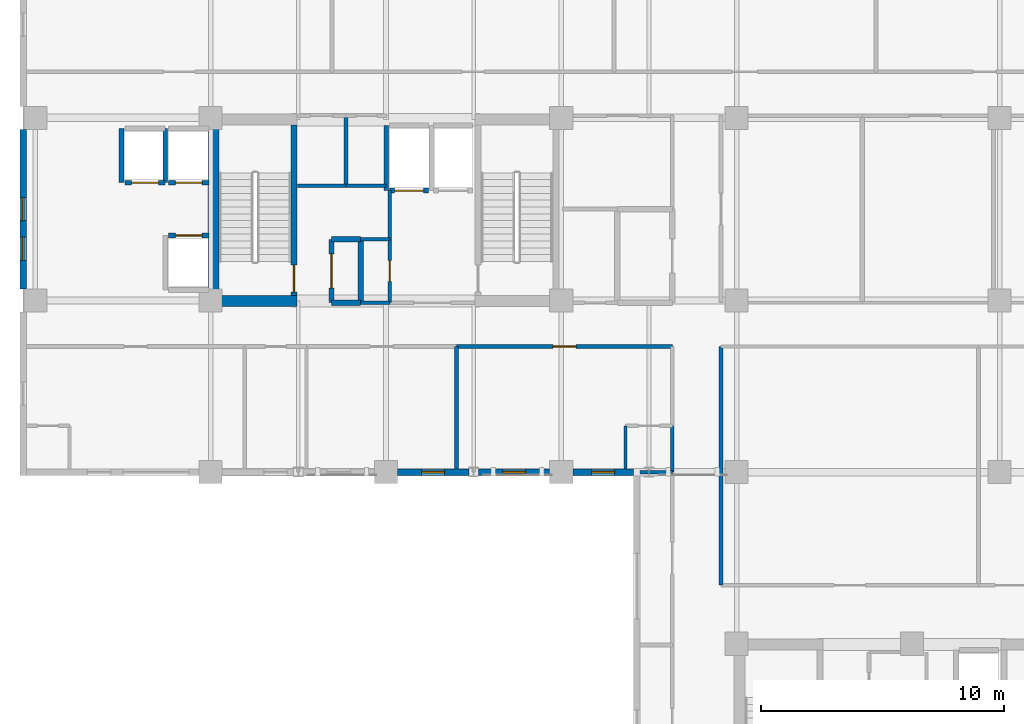
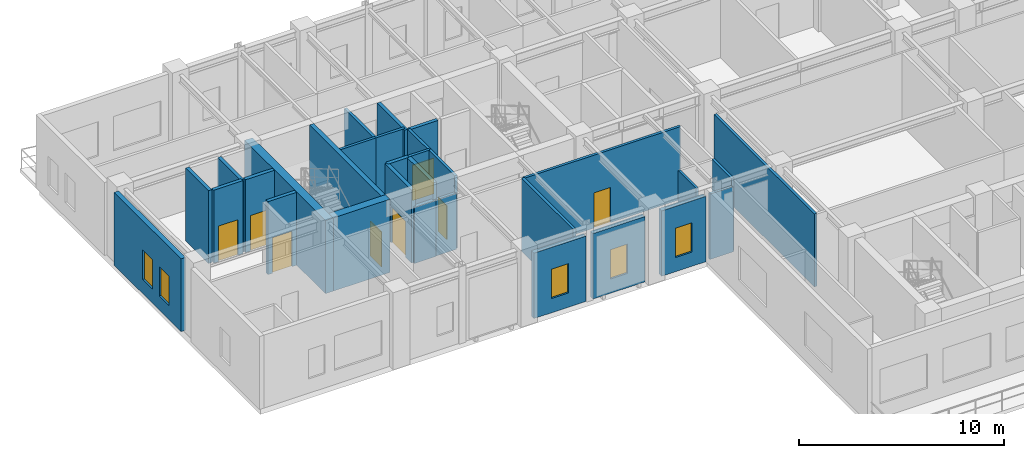
# One storey, part 6 of 14: 31 walls, 8 doors, 5 windows, 13 openings.
"""IFC4 building model written with IfcOpenShell, lengths in metres."""

import ifcopenshell
import ifcopenshell.guid

model = None  # the IFC model being written
_history = None  # IfcOwnerHistory: only IFC2X3 demands one
_inside = {}  # id of a spatial element -> (the spatial element, [elements in it])
_under = {}  # id of a project, library or spatial element -> (it, [spatial elements below it])
_declared = {}  # id of a project -> (the project, [libraries it declares])
_typed = {}  # id of a type object -> (the type object, [elements of that type])
_made_of = {}  # id of a material, layer set ... -> (it, [elements and type objects made of it])


def new_model(schema):
    """Start an empty IFC model of exactly this schema.

    Asked for "IFC4X3", IfcOpenShell would pick the latest addendum, in which some entities
    have other attributes; the version numbers below select the first issue.
    IFC2X3 requires an IfcOwnerHistory on every rooted entity: one is made here for all.
    """
    global model, _history
    if schema == "IFC4X3":
        model = ifcopenshell.file(schema_version=(4, 3, 0, 0))
    else:
        model = ifcopenshell.file(schema=schema)
    _inside.clear()
    _under.clear()
    _declared.clear()
    _typed.clear()
    _made_of.clear()
    _history = None
    if model.schema == "IFC2X3":
        org = make("IfcOrganization", Name="unknown")
        user = make(
            "IfcPersonAndOrganization",
            ThePerson=make("IfcPerson", FamilyName="unknown"),
            TheOrganization=org,
        )
        app = make(
            "IfcApplication",
            ApplicationDeveloper=org,
            Version="unknown",
            ApplicationFullName="unknown",
            ApplicationIdentifier="unknown",
        )
        _history = make(
            "IfcOwnerHistory",
            OwningUser=user,
            OwningApplication=app,
            ChangeAction="ADDED",
            CreationDate=0,
        )
    return model


def make(cls, **values):
    """One entity of the class cls with the attributes given. An attribute that is None is left unset."""
    return model.create_entity(
        cls, **{name: value for name, value in values.items() if value is not None}
    )


def rooted(cls, **values):
    """An entity with a GlobalId (a new one), such as an element, a storey or a relation."""
    return make(cls, GlobalId=ifcopenshell.guid.new(), OwnerHistory=_history, **values)


def si_unit(unit_type, name, prefix=None):
    """IfcSIUnit, for example si_unit("LENGTHUNIT", "METRE", prefix="MILLI")."""
    return make("IfcSIUnit", UnitType=unit_type, Prefix=prefix, Name=name)


def assignment(units):
    """IfcUnitAssignment: the units of a project."""
    return None if units is None else make("IfcUnitAssignment", Units=units)


def point(xyz):
    """IfcCartesianPoint."""
    return None if xyz is None else make("IfcCartesianPoint", Coordinates=xyz)


def direction(xyz):
    """IfcDirection."""
    return None if xyz is None else make("IfcDirection", DirectionRatios=xyz)


def frame(location, z_axis=None, x_axis=None):
    """IfcAxis2Placement3D, a coordinate frame: its origin and axes. An axis left out is left unset."""
    return make(
        "IfcAxis2Placement3D",
        Location=point(location),
        Axis=direction(z_axis),
        RefDirection=direction(x_axis),
    )


def frame_2d(location, x_axis=None):
    """IfcAxis2Placement2D, a coordinate frame in the plane: its origin and x axis."""
    return make(
        "IfcAxis2Placement2D", Location=point(location), RefDirection=direction(x_axis)
    )


def origin():
    """The frame at (0, 0, 0) with its axes left unset."""
    return frame((0.0, 0.0, 0.0))


def place(relative_to, where):
    """IfcLocalPlacement: puts the frame where relative to a parent placement (None: the world)."""
    return make(
        "IfcLocalPlacement", PlacementRelTo=relative_to, RelativePlacement=where
    )


def context(
    kind, dimensions, precision=None, world=None, true_north=None, identifier=None
):
    """IfcGeometricRepresentationContext, for example the 3D "Model" context."""
    return make(
        "IfcGeometricRepresentationContext",
        ContextIdentifier=identifier,
        ContextType=kind,
        CoordinateSpaceDimension=dimensions,
        Precision=precision,
        WorldCoordinateSystem=world,
        TrueNorth=true_north,
    )


def subcontext(parent, identifier, kind, view, scale=None):
    """IfcGeometricRepresentationSubContext, for example "Body" below "Model"."""
    return make(
        "IfcGeometricRepresentationSubContext",
        ContextIdentifier=identifier,
        ContextType=kind,
        ParentContext=parent,
        TargetScale=scale,
        TargetView=view,
    )


def project(units=None, contexts=None):
    """IfcProject with its units and contexts."""
    return rooted(
        "IfcProject",
        Name="project",
        RepresentationContexts=contexts,
        UnitsInContext=assignment(units),
    )


def spatial(cls, under=None, at=None, **own):
    """A site, building, storey or space (cls), placed at a placement, below another one or the project."""
    s = rooted(cls, ObjectPlacement=at, **own)
    if under is not None:
        _under.setdefault(under.id(), (under, []))[1].append(s)
    return s


def profile(cls, at=None, kind="AREA", **sizes):
    """A parametric profile (cls). Its sizes go by their IFC names, for example OverallWidth=200.0."""
    return make(cls, ProfileType=kind, Position=at, **sizes)


def rectangle(**sizes):
    """IfcRectangleProfileDef."""
    return profile("IfcRectangleProfileDef", **sizes)


def extrude(swept, where, along, depth):
    """IfcExtrudedAreaSolid: the profile swept, set in the frame where, extruded along a direction by depth."""
    return make(
        "IfcExtrudedAreaSolid",
        SweptArea=swept,
        Position=where,
        ExtrudedDirection=direction(along),
        Depth=depth,
    )


def shape(context_of_items, identifier, shape_type, items):
    """IfcShapeRepresentation: the items that make up one representation, for example the "Body"."""
    return make(
        "IfcShapeRepresentation",
        ContextOfItems=context_of_items,
        RepresentationIdentifier=identifier,
        RepresentationType=shape_type,
        Items=items,
    )


def material(Name=None, Category=None):
    """IfcMaterial."""
    return make("IfcMaterial", Name=Name, Category=Category)


def layer(
    of_material, thickness, ventilated=None, Name=None, Category=None, Priority=None
):
    """IfcMaterialLayer: one layer of a wall or slab, of a material (None: an air gap)."""
    return make(
        "IfcMaterialLayer",
        Material=of_material,
        LayerThickness=thickness,
        IsVentilated=ventilated,
        Name=Name,
        Category=Category,
        Priority=Priority,
    )


def layer_set(layers, Name=None):
    """IfcMaterialLayerSet."""
    return make("IfcMaterialLayerSet", MaterialLayers=layers, LayerSetName=Name)


def made_of(thing, what):
    """Note that an element or type object is made of a material, layer set ...; save() writes the relation."""
    if what is not None:
        _made_of.setdefault(what.id(), (what, []))[1].append(thing)
    return thing


def type_object(cls, material=None, **own):
    """A type object (cls), such as IfcWallType, which elements share."""
    return made_of(rooted(cls, **own), material)


def element(
    cls,
    number,
    at=None,
    inside=None,
    cuts=None,
    type_object=None,
    material=None,
    context=None,
    identifier="Body",
    shape_type=None,
    held_by="IfcProductDefinitionShape",
    body=None,
    shapes=None,
    **own,
):
    """One element of the class cls, such as IfcWall. Its Tag is "e" and its number.

    at: its placement. inside: the storey or other place that contains it. cuts: it is an
    opening in that element (IfcRelVoidsElement). A single representation is given by context,
    identifier, shape_type and body (its items); several are given by shapes. held_by: the class
    of the entity that holds the representations. save() writes the other relations.
    """
    e = rooted(cls, Tag="e%d" % number, ObjectPlacement=at, **own)
    if body is not None:
        shapes = [shape(context, identifier, shape_type, body)]
    if shapes is not None:
        e.Representation = make(held_by, Representations=shapes)
    if inside is not None:
        _inside.setdefault(inside.id(), (inside, []))[1].append(e)
    if cuts is not None:
        rooted(
            "IfcRelVoidsElement", RelatingBuildingElement=cuts, RelatedOpeningElement=e
        )
    if type_object is not None:
        _typed.setdefault(type_object.id(), (type_object, []))[1].append(e)
    return made_of(e, material)


def fill(opening, filler):
    """IfcRelFillsElement: the door or window that sits in an opening."""
    return rooted(
        "IfcRelFillsElement",
        RelatingOpeningElement=opening,
        RelatedBuildingElement=filler,
    )


def aggregate(whole, parts):
    """IfcRelAggregates: a whole, such as a stair, and the parts it consists of."""
    return rooted("IfcRelAggregates", RelatingObject=whole, RelatedObjects=parts)


def save(model, path):
    """Write the relations noted so far, then the file.

    IfcRelAggregates (storeys below a building ...), IfcRelContainedInSpatialStructure (elements
    in a storey), IfcRelDefinesByType, IfcRelAssociatesMaterial and IfcRelDeclares: one each for
    every whole, place, type object, material and project.
    """
    for whole, parts in _under.values():
        aggregate(whole, parts)
    for where, things in _inside.values():
        rooted(
            "IfcRelContainedInSpatialStructure",
            RelatedElements=things,
            RelatingStructure=where,
        )
    for kind, things in _typed.values():
        rooted("IfcRelDefinesByType", RelatedObjects=things, RelatingType=kind)
    for what, things in _made_of.values():
        rooted("IfcRelAssociatesMaterial", RelatedObjects=things, RelatingMaterial=what)
    for by, libraries in _declared.values():
        rooted("IfcRelDeclares", RelatingContext=by, RelatedDefinitions=libraries)
    model.write(path)


model = new_model("IFC4")

# Units and contexts
model_context = context("Model", 3, precision=1e-05, world=origin(), true_north=direction((0.0, 1.0)))
body_context = subcontext(model_context, "Body", "Model", "MODEL_VIEW")
ifc_project = project(units=[si_unit("LENGTHUNIT", "METRE"), si_unit("AREAUNIT", "SQUARE_METRE"), si_unit("VOLUMEUNIT", "CUBIC_METRE"), si_unit("PLANEANGLEUNIT", "RADIAN"), si_unit("MASSUNIT", "GRAM", prefix="KILO")], contexts=[model_context])

# Site, building, storey
site_placement = place(None, origin())
site = spatial("IfcSite", under=ifc_project, at=site_placement, CompositionType="ELEMENT")
building_placement = place(site_placement, origin())
building = spatial("IfcBuilding", under=site, at=building_placement, Name="Kaliganga Portal Commons", CompositionType="ELEMENT")
storey_placement = place(building_placement, frame((0.0, 0.0, 197.199951171875)))
storey = spatial("IfcBuildingStorey", under=building, at=storey_placement, Name="L50", CompositionType="ELEMENT", Elevation=197.199951171875)

# Walls
ifc_material_1 = material(Name="Concrete C60/75", Category="concrete")
ifc_layer_1 = layer(ifc_material_1, 0.449951171875)
ifc_layer_set_1 = layer_set([ifc_layer_1], Name="Concrete C60/75")
wall_type_1 = type_object("IfcWallType", Name="WL-CORE-450", PredefinedType="SHEAR", material=ifc_layer_set_1)
wall_1_placement = place(storey_placement, frame((14.52490234375, 28.39990234375, 0.0), z_axis=(0.0, 0.0, 1.0), x_axis=(0.0, 1.0, 0.0)))
element("IfcWall", 1, at=wall_1_placement, inside=storey, type_object=wall_type_1, Name="Core A West Shear Wall L50", PredefinedType="SHEAR", context=body_context, shape_type="SweptSolid", body=[
    extrude(rectangle(XDim=7.900146484375, YDim=0.449951171875, at=frame_2d((3.9501953125, 0.0))), origin(), (0.0, 0.0, 1.0), 4.3701171875),
])
wall_2_placement = place(storey_placement, frame((14.75, 28.625, 0.0), z_axis=(0.0, 0.0, 1.0), x_axis=(1.0, 0.0, 0.0)))
element("IfcWall", 2, at=wall_2_placement, inside=storey, type_object=wall_type_1, Name="Core A S-West Shear Wall L50", PredefinedType="SHEAR", context=body_context, shape_type="SweptSolid", body=[
    extrude(rectangle(XDim=3.199951171875, YDim=0.449951171875, at=frame_2d((1.60009765625, 0.0))), origin(), (0.0, 0.0, 1.0), 4.3701171875),
])

# Wall, openings, windows
ifc_material_2 = material(Name="Insulated Aluminium-Clad Spandrel Assembly", Category="aluminium")
ifc_layer_2 = layer(ifc_material_2, 0.260009765625)
ifc_layer_set_2 = layer_set([ifc_layer_2], Name="Insulated Aluminium-Clad Spandrel Assembly")
wall_type_2 = type_object("IfcWallType", Name="WL-EXT-SPAND-260", PredefinedType="STANDARD", material=ifc_layer_set_2)
wall_3_placement = place(storey_placement, frame((6.699951171875, 29.1259765625, 0.0), z_axis=(0.0, 0.0, 1.0), x_axis=(0.0, 1.0, 0.0)))
wall_3 = element("IfcWall", 3, at=wall_3_placement, inside=storey, type_object=wall_type_2, Name="Exterior Envelope Wall L50 P1-E03-S2", PredefinedType="STANDARD", context=body_context, shape_type="SweptSolid", body=[
    extrude(rectangle(XDim=6.548095703125, YDim=0.260009765625, at=frame_2d((3.27392578125, 0.0))), origin(), (0.0, 0.0, 1.0), 4.35009765625),
])
opening_1_placement = place(wall_3_placement, frame((2.799072265625, 0.0, 0.85009765625)))
opening_1 = element("IfcOpeningElement", 4, at=opening_1_placement, cuts=wall_3, Name="Opening W-04", PredefinedType="OPENING", context=body_context, shape_type="SweptSolid", body=[
    extrude(rectangle(XDim=0.949951171875, YDim=1.75, at=frame_2d((0.47509765625, 0.875))), frame((0.0, 0.14013671875, 0.0), z_axis=(0.0, -1.0, 0.0), x_axis=(1.0, 0.0, 0.0)), (0.0, 0.0, 1.0), 0.280029296875),
])
opening_2_placement = place(wall_3_placement, frame((1.175048828125, 0.0, 0.85009765625)))
opening_2 = element("IfcOpeningElement", 5, at=opening_2_placement, cuts=wall_3, Name="Opening W-04", PredefinedType="OPENING", context=body_context, shape_type="SweptSolid", body=[
    extrude(rectangle(XDim=0.949951171875, YDim=1.75, at=frame_2d((0.47509765625, 0.875))), frame((0.0, 0.14013671875, 0.0), z_axis=(0.0, -1.0, 0.0), x_axis=(1.0, 0.0, 0.0)), (0.0, 0.0, 1.0), 0.280029296875),
])
ifc_material_3 = material(Name="Thermally Broken Aluminium and Low-E Double Glazing", Category="aluminium")
window_type = type_object("IfcWindowType", Name="WIN-NARROW-950", PartitioningType="SINGLE_PANEL", PredefinedType="WINDOW", material=ifc_material_3)
window_1_placement = place(opening_1_placement, origin())
window_1 = element("IfcWindow", 6, at=window_1_placement, inside=storey, type_object=window_type, Name="Facade Window L50-P1E03S2-N0", OverallHeight=1.75, OverallWidth=0.949951171875, PartitioningType="SINGLE_PANEL", PredefinedType="WINDOW", context=body_context, shape_type="SweptSolid", body=[
    extrude(rectangle(XDim=0.949951171875, YDim=1.75, at=frame_2d((0.47509765625, 0.875))), frame((0.0, 0.030029296875, 0.0), z_axis=(0.0, -1.0, 0.0), x_axis=(1.0, 0.0, 0.0)), (0.0, 0.0, 1.0), 0.06005859375),
])
fill(opening_1, window_1)
window_2_placement = place(opening_2_placement, origin())
window_2 = element("IfcWindow", 7, at=window_2_placement, inside=storey, type_object=window_type, Name="Facade Window L50-P1E03S2-N1", OverallHeight=1.75, OverallWidth=0.949951171875, PartitioningType="SINGLE_PANEL", PredefinedType="WINDOW", context=body_context, shape_type="SweptSolid", body=[
    extrude(rectangle(XDim=0.949951171875, YDim=1.75, at=frame_2d((0.47509765625, 0.875))), frame((0.0, 0.030029296875, 0.0), z_axis=(0.0, -1.0, 0.0), x_axis=(1.0, 0.0, 0.0)), (0.0, 0.0, 1.0), 0.06005859375),
])
fill(opening_2, window_2)

# Wall, opening, window
wall_4_placement = place(storey_placement, frame((24.99951171875, 21.60009765625, 0.0), z_axis=(0.0, 0.0, 1.0), x_axis=(-1.0, 0.0, 0.0)))
wall_4 = element("IfcWall", 8, at=wall_4_placement, inside=storey, type_object=wall_type_2, Name="Exterior Envelope Wall L50 P1-E04-S4", PredefinedType="STANDARD", context=body_context, shape_type="SweptSolid", body=[
    extrude(rectangle(XDim=2.923583984375, YDim=0.260009765625, at=frame_2d((1.4619140625, 0.0))), origin(), (0.0, 0.0, 1.0), 3.900146484375),
])
opening_3_placement = place(wall_4_placement, frame((0.98681640625, 0.0, 0.85009765625)))
opening_3 = element("IfcOpeningElement", 9, at=opening_3_placement, cuts=wall_4, Name="Opening W-04", PredefinedType="OPENING", context=body_context, shape_type="SweptSolid", body=[
    extrude(rectangle(XDim=0.949951171875, YDim=1.75, at=frame_2d((0.47509765625, 0.875))), frame((0.0, 0.14013671875, 0.0), z_axis=(0.0, -1.0, 0.0), x_axis=(1.0, 0.0, 0.0)), (0.0, 0.0, 1.0), 0.280029296875),
])
window_3_placement = place(opening_3_placement, origin())
window_3 = element("IfcWindow", 10, at=window_3_placement, inside=storey, type_object=window_type, Name="Facade Window L50-P1E04S4-00", OverallHeight=1.75, OverallWidth=0.949951171875, PartitioningType="SINGLE_PANEL", PredefinedType="WINDOW", context=body_context, shape_type="SweptSolid", body=[
    extrude(rectangle(XDim=0.949951171875, YDim=1.75, at=frame_2d((0.47509765625, 0.875))), frame((0.0, 0.030029296875, 0.0), z_axis=(0.0, -1.0, 0.0), x_axis=(1.0, 0.0, 0.0)), (0.0, 0.0, 1.0), 0.06005859375),
])
fill(opening_3, window_3)

wall_5_placement = place(storey_placement, frame((28.323974609375, 21.60009765625, 0.0), z_axis=(0.0, 0.0, 1.0), x_axis=(-1.0, 0.0, 0.0)))
wall_5 = element("IfcWall", 11, at=wall_5_placement, inside=storey, type_object=wall_type_2, Name="Exterior Envelope Wall L50 P1-E04-S5", PredefinedType="STANDARD", context=body_context, shape_type="SweptSolid", body=[
    extrude(rectangle(XDim=2.923583984375, YDim=0.260009765625, at=frame_2d((1.4619140625, 0.0))), origin(), (0.0, 0.0, 1.0), 3.900146484375),
])
opening_4_placement = place(wall_5_placement, frame((0.98681640625, 0.0, 0.85009765625)))
opening_4 = element("IfcOpeningElement", 12, at=opening_4_placement, cuts=wall_5, Name="Opening W-04", PredefinedType="OPENING", context=body_context, shape_type="SweptSolid", body=[
    extrude(rectangle(XDim=0.949951171875, YDim=1.75, at=frame_2d((0.47509765625, 0.875))), frame((0.0, 0.14013671875, 0.0), z_axis=(0.0, -1.0, 0.0), x_axis=(1.0, 0.0, 0.0)), (0.0, 0.0, 1.0), 0.280029296875),
])
window_4_placement = place(opening_4_placement, origin())
window_4 = element("IfcWindow", 13, at=window_4_placement, inside=storey, type_object=window_type, Name="Facade Window L50-P1E04S5-00", OverallHeight=1.75, OverallWidth=0.949951171875, PartitioningType="SINGLE_PANEL", PredefinedType="WINDOW", context=body_context, shape_type="SweptSolid", body=[
    extrude(rectangle(XDim=0.949951171875, YDim=1.75, at=frame_2d((0.47509765625, 0.875))), frame((0.0, 0.030029296875, 0.0), z_axis=(0.0, -1.0, 0.0), x_axis=(1.0, 0.0, 0.0)), (0.0, 0.0, 1.0), 0.06005859375),
])
fill(opening_4, window_4)

wall_6_placement = place(storey_placement, frame((31.764892578125, 21.60009765625, 0.0), z_axis=(0.0, 0.0, 1.0), x_axis=(-1.0, 0.0, 0.0)))
wall_6 = element("IfcWall", 14, at=wall_6_placement, inside=storey, type_object=wall_type_2, Name="Exterior Envelope Wall L50 P1-E04-S6", PredefinedType="STANDARD", context=body_context, shape_type="SweptSolid", body=[
    extrude(rectangle(XDim=2.489013671875, YDim=0.260009765625, at=frame_2d((1.24462890625, 0.0))), origin(), (0.0, 0.0, 1.0), 3.900146484375),
])
opening_5_placement = place(wall_6_placement, frame((0.76953125, 0.0, 0.85009765625)))
opening_5 = element("IfcOpeningElement", 15, at=opening_5_placement, cuts=wall_6, Name="Opening W-04", PredefinedType="OPENING", context=body_context, shape_type="SweptSolid", body=[
    extrude(rectangle(XDim=0.949951171875, YDim=1.75, at=frame_2d((0.47509765625, 0.875))), frame((0.0, 0.14013671875, 0.0), z_axis=(0.0, -1.0, 0.0), x_axis=(1.0, 0.0, 0.0)), (0.0, 0.0, 1.0), 0.280029296875),
])
window_5_placement = place(opening_5_placement, origin())
window_5 = element("IfcWindow", 16, at=window_5_placement, inside=storey, type_object=window_type, Name="Facade Window L50-P1E04S6-00", OverallHeight=1.75, OverallWidth=0.949951171875, PartitioningType="SINGLE_PANEL", PredefinedType="WINDOW", context=body_context, shape_type="SweptSolid", body=[
    extrude(rectangle(XDim=0.949951171875, YDim=1.75, at=frame_2d((0.47509765625, 0.875))), frame((0.0, 0.030029296875, 0.0), z_axis=(0.0, -1.0, 0.0), x_axis=(1.0, 0.0, 0.0)), (0.0, 0.0, 1.0), 0.06005859375),
])
fill(opening_5, window_5)

# Walls
ifc_material_4 = material(Name="Fire-Rated Gypsum Board on Steel Stud", Category="steel")
ifc_layer_3 = layer(ifc_material_4, 0.14990234375)
ifc_layer_set_3 = layer_set([ifc_layer_3], Name="Fire-Rated Gypsum Board on Steel Stud")
wall_type_3 = type_object("IfcWallType", Name="WL-PART-CORR-150", PredefinedType="PARTITIONING", material=ifc_layer_set_3)
wall_7_placement = place(storey_placement, frame((33.360107421875, 21.60009765625, 0.0), z_axis=(0.0, 0.0, 1.0), x_axis=(0.0, 1.0, 0.0)))
element("IfcWall", 17, at=wall_7_placement, inside=storey, type_object=wall_type_3, Name="Interior Partition L50-011", PredefinedType="PARTITIONING", context=body_context, shape_type="SweptSolid", body=[
    extrude(rectangle(XDim=1.89990234375, YDim=0.14990234375, at=frame_2d((0.949951171875, 0.0))), origin(), (0.0, 0.0, 1.0), 4.35009765625),
])
wall_8_placement = place(storey_placement, frame((35.360107421875, 16.9599609375, 0.0), z_axis=(0.0, 0.0, 1.0), x_axis=(0.0, 1.0, 0.0)))
element("IfcWall", 18, at=wall_8_placement, inside=storey, type_object=wall_type_3, Name="Interior Partition L50-017", PredefinedType="PARTITIONING", context=body_context, shape_type="SweptSolid", body=[
    extrude(rectangle(XDim=9.800048828125, YDim=0.14990234375, at=frame_2d((4.89990234375, 0.0))), origin(), (0.0, 0.0, 1.0), 4.35009765625),
])

# Wall, opening, door
wall_9_placement = place(storey_placement, frame((24.5, 26.760009765625, 0.0), z_axis=(0.0, 0.0, 1.0), x_axis=(1.0, 0.0, 0.0)))
wall_9 = element("IfcWall", 19, at=wall_9_placement, inside=storey, type_object=wall_type_3, Name="Interior Partition L50-022", PredefinedType="PARTITIONING", context=body_context, shape_type="SweptSolid", body=[
    extrude(rectangle(XDim=8.860107421875, YDim=0.14990234375, at=frame_2d((4.43017578125, 0.0))), origin(), (0.0, 0.0, 1.0), 4.35009765625),
])
opening_6_placement = place(wall_9_placement, frame((3.955078125, 0.0, 0.0)))
opening_6 = element("IfcOpeningElement", 20, at=opening_6_placement, cuts=wall_9, Name="Opening UD-01", PredefinedType="OPENING", context=body_context, shape_type="SweptSolid", body=[
    extrude(rectangle(XDim=0.949951171875, YDim=2.10009765625, at=frame_2d((0.47509765625, 1.050048828125))), frame((0.0, 0.0849609375, 0.0), z_axis=(0.0, -1.0, 0.0), x_axis=(1.0, 0.0, 0.0)), (0.0, 0.0, 1.0), 0.169921875),
])
ifc_material_5 = material(Name="Solid-Core Timber Acoustic Fire Door", Category="wood")
door_type_1 = type_object("IfcDoorType", Name="DR-UNIT-950", OperationType="NOTDEFINED", PredefinedType="DOOR", material=ifc_material_5)
door_1_placement = place(opening_6_placement, origin())
door_1 = element("IfcDoor", 21, at=door_1_placement, inside=storey, type_object=door_type_1, Name="Interior Door L50-AS04", OperationType="SINGLE_SWING_RIGHT", OverallHeight=2.10009765625, OverallWidth=0.949951171875, PredefinedType="DOOR", context=body_context, shape_type="SweptSolid", body=[
    extrude(rectangle(XDim=0.949951171875, YDim=2.10009765625, at=frame_2d((0.47509765625, 1.050048828125))), frame((0.0, 0.02490234375, 0.0), z_axis=(0.0, -1.0, 0.0), x_axis=(1.0, 0.0, 0.0)), (0.0, 0.0, 1.0), 0.050048828125),
])
fill(opening_6, door_1)

wall_10_placement = place(storey_placement, frame((21.760009765625, 28.56005859375, 0.0), z_axis=(0.0, 0.0, 1.0), x_axis=(0.0, 1.0, 0.0)))
wall_10 = element("IfcWall", 22, at=wall_10_placement, inside=storey, type_object=wall_type_3, Name="Interior Partition L50-040", PredefinedType="PARTITIONING", context=body_context, shape_type="SweptSolid", body=[
    extrude(rectangle(XDim=2.599853515625, YDim=0.14990234375, at=frame_2d((1.2998046875, 0.0))), origin(), (0.0, 0.0, 1.0), 4.35009765625),
])
opening_7_placement = place(wall_10_placement, frame((0.8701171875, 0.0, 0.0)))
opening_7 = element("IfcOpeningElement", 23, at=opening_7_placement, cuts=wall_10, Name="Opening WD-02", PredefinedType="OPENING", context=body_context, shape_type="SweptSolid", body=[
    extrude(rectangle(XDim=0.860107421875, YDim=2.02001953125, at=frame_2d((0.43017578125, 1.010009765625))), frame((0.0, 0.0849609375, 0.0), z_axis=(0.0, -1.0, 0.0), x_axis=(1.0, 0.0, 0.0)), (0.0, 0.0, 1.0), 0.169921875),
])
ifc_material_6 = material(Name="Fire-Rated Utility Closet Door", Category="wood")
door_type_2 = type_object("IfcDoorType", Name="DR-STORE-800", OperationType="NOTDEFINED", PredefinedType="DOOR", material=ifc_material_6)
door_2_placement = place(opening_7_placement, origin())
door_2 = element("IfcDoor", 24, at=door_2_placement, inside=storey, type_object=door_type_2, Name="Interior Door L50-CIN_A2", OperationType="SINGLE_SWING_RIGHT", OverallHeight=2.02001953125, OverallWidth=0.860107421875, PredefinedType="DOOR", context=body_context, shape_type="SweptSolid", body=[
    extrude(rectangle(XDim=0.860107421875, YDim=2.02001953125, at=frame_2d((0.43017578125, 1.010009765625))), frame((0.0, 0.02490234375, 0.0), z_axis=(0.0, -1.0, 0.0), x_axis=(1.0, 0.0, 0.0)), (0.0, 0.0, 1.0), 0.050048828125),
])
fill(opening_7, door_2)

# Walls
wall_11_placement = place(storey_placement, frame((17.9599609375, 33.360107421875, 0.0), z_axis=(0.0, 0.0, 1.0), x_axis=(1.0, 0.0, 0.0)))
element("IfcWall", 25, at=wall_11_placement, inside=storey, type_object=wall_type_3, Name="Interior Partition L50-046", PredefinedType="PARTITIONING", context=body_context, shape_type="SweptSolid", body=[
    extrude(rectangle(XDim=2.0, YDim=0.14990234375, at=frame_2d((1.0, 0.0))), origin(), (0.0, 0.0, 1.0), 4.35009765625),
])
wall_12_placement = place(storey_placement, frame((19.9599609375, 33.360107421875, 0.0), z_axis=(0.0, 0.0, 1.0), x_axis=(1.0, 0.0, 0.0)))
element("IfcWall", 26, at=wall_12_placement, inside=storey, type_object=wall_type_3, Name="Interior Partition L50-049", PredefinedType="PARTITIONING", context=body_context, shape_type="SweptSolid", body=[
    extrude(rectangle(XDim=1.650146484375, YDim=0.14990234375, at=frame_2d((0.8251953125, 0.0))), origin(), (0.0, 0.0, 1.0), 4.35009765625),
])
wall_13_placement = place(storey_placement, frame((20.56005859375, 28.56005859375, 0.0), z_axis=(0.0, 0.0, 1.0), x_axis=(1.0, 0.0, 0.0)))
element("IfcWall", 27, at=wall_13_placement, inside=storey, type_object=wall_type_3, Name="Interior Partition L50-051", PredefinedType="PARTITIONING", context=body_context, shape_type="SweptSolid", body=[
    extrude(rectangle(XDim=1.199951171875, YDim=0.14990234375, at=frame_2d((0.60009765625, 0.0))), origin(), (0.0, 0.0, 1.0), 3.35009765625),
])
wall_14_placement = place(storey_placement, frame((20.56005859375, 31.159912109375, 0.0), z_axis=(0.0, 0.0, 1.0), x_axis=(1.0, 0.0, 0.0)))
element("IfcWall", 28, at=wall_14_placement, inside=storey, type_object=wall_type_3, Name="Interior Partition L50-052", PredefinedType="PARTITIONING", context=body_context, shape_type="SweptSolid", body=[
    extrude(rectangle(XDim=1.199951171875, YDim=0.14990234375, at=frame_2d((0.60009765625, 0.0))), origin(), (0.0, 0.0, 1.0), 4.35009765625),
])
wall_15_placement = place(storey_placement, frame((21.760009765625, 31.159912109375, 0.0), z_axis=(0.0, 0.0, 1.0), x_axis=(0.0, 1.0, 0.0)))
element("IfcWall", 29, at=wall_15_placement, inside=storey, type_object=wall_type_3, Name="Interior Partition L50-087", PredefinedType="PARTITIONING", context=body_context, shape_type="SweptSolid", body=[
    extrude(rectangle(XDim=2.0, YDim=0.14990234375, at=frame_2d((1.0, 0.0))), origin(), (0.0, 0.0, 1.0), 4.35009765625),
])

# Wall, opening, door
ifc_material_7 = material(Name="Lightweight blockwork masonry", Category="masonry")
ifc_layer_4 = layer(ifc_material_7, 0.215087890625)
ifc_layer_set_4 = layer_set([ifc_layer_4], Name="Lightweight blockwork masonry")
wall_type_4 = type_object("IfcWallType", Name="WL-PART-PLANT-215", PredefinedType="PARTITIONING", material=ifc_layer_set_4)
wall_16_placement = place(storey_placement, frame((19.360107421875, 28.56005859375, 0.0), z_axis=(0.0, 0.0, 1.0), x_axis=(0.0, 1.0, 0.0)))
wall_16 = element("IfcWall", 30, at=wall_16_placement, inside=storey, type_object=wall_type_4, Name="Interior Partition L50-039", PredefinedType="PARTITIONING", context=body_context, shape_type="SweptSolid", body=[
    extrude(rectangle(XDim=2.599853515625, YDim=0.215087890625, at=frame_2d((1.2998046875, 0.0))), origin(), (0.0, 0.0, 1.0), 4.35009765625),
])
opening_8_placement = place(wall_16_placement, frame((0.60009765625, 0.0, 0.0)))
opening_8 = element("IfcOpeningElement", 31, at=opening_8_placement, cuts=wall_16, Name="Opening PD-01", PredefinedType="OPENING", context=body_context, shape_type="SweptSolid", body=[
    extrude(rectangle(XDim=1.39990234375, YDim=2.14990234375, at=frame_2d((0.699951171875, 1.074951171875))), frame((0.0, 0.11767578125, 0.0), z_axis=(0.0, -1.0, 0.0), x_axis=(1.0, 0.0, 0.0)), (0.0, 0.0, 1.0), 0.235107421875),
])
ifc_material_8 = material(Name="Heavy-Duty Steel Acoustic Louvre Fire Door", Category="steel")
door_type_3 = type_object("IfcDoorType", Name="DR-PLANT-1400", OperationType="DOUBLE_DOOR_SINGLE_SWING", PredefinedType="DOOR", material=ifc_material_8)
door_3_placement = place(opening_8_placement, origin())
door_3 = element("IfcDoor", 32, at=door_3_placement, inside=storey, type_object=door_type_3, Name="Interior Door L50-CIN_A1", OperationType="DOUBLE_DOOR_SINGLE_SWING", OverallHeight=2.14990234375, OverallWidth=1.39990234375, PredefinedType="DOOR", context=body_context, shape_type="SweptSolid", body=[
    extrude(rectangle(XDim=1.39990234375, YDim=2.14990234375, at=frame_2d((0.699951171875, 1.074951171875))), frame((0.0, 0.02490234375, 0.0), z_axis=(0.0, -1.0, 0.0), x_axis=(1.0, 0.0, 0.0)), (0.0, 0.0, 1.0), 0.050048828125),
])
fill(opening_8, door_3)

# Walls
wall_17_placement = place(storey_placement, frame((19.360107421875, 28.56005859375, 0.0), z_axis=(0.0, 0.0, 1.0), x_axis=(1.0, 0.0, 0.0)))
element("IfcWall", 33, at=wall_17_placement, inside=storey, type_object=wall_type_4, Name="Interior Partition L50-053", PredefinedType="PARTITIONING", context=body_context, shape_type="SweptSolid", body=[
    extrude(rectangle(XDim=1.199951171875, YDim=0.215087890625, at=frame_2d((0.60009765625, 0.0))), origin(), (0.0, 0.0, 1.0), 3.35009765625),
])
wall_18_placement = place(storey_placement, frame((19.360107421875, 31.159912109375, 0.0), z_axis=(0.0, 0.0, 1.0), x_axis=(1.0, 0.0, 0.0)))
element("IfcWall", 34, at=wall_18_placement, inside=storey, type_object=wall_type_4, Name="Interior Partition L50-054", PredefinedType="PARTITIONING", context=body_context, shape_type="SweptSolid", body=[
    extrude(rectangle(XDim=1.199951171875, YDim=0.215087890625, at=frame_2d((0.60009765625, 0.0))), origin(), (0.0, 0.0, 1.0), 4.35009765625),
])
wall_19_placement = place(storey_placement, frame((20.56005859375, 28.56005859375, 0.0), z_axis=(0.0, 0.0, 1.0), x_axis=(0.0, 1.0, 0.0)))
element("IfcWall", 35, at=wall_19_placement, inside=storey, type_object=wall_type_4, Name="Interior Partition L50-082", PredefinedType="PARTITIONING", context=body_context, shape_type="SweptSolid", body=[
    extrude(rectangle(XDim=2.599853515625, YDim=0.215087890625, at=frame_2d((1.2998046875, 0.0))), origin(), (0.0, 0.0, 1.0), 4.35009765625),
])
ifc_material_9 = material(Name="Twin-Stud Acoustic Gypsum Partition", Category="gypsum")
ifc_layer_5 = layer(ifc_material_9, 0.1650390625)
ifc_layer_set_5 = layer_set([ifc_layer_5], Name="Twin-Stud Acoustic Gypsum Partition")
wall_type_5 = type_object("IfcWallType", Name="WL-PART-UNIT-165", PredefinedType="PARTITIONING", material=ifc_layer_set_5)
wall_20_placement = place(storey_placement, frame((24.5, 21.73193359375, 0.0), z_axis=(0.0, 0.0, 1.0), x_axis=(0.0, 1.0, 0.0)))
element("IfcWall", 36, at=wall_20_placement, inside=storey, type_object=wall_type_5, Name="Interior Partition L50-072", PredefinedType="PARTITIONING", context=body_context, shape_type="SweptSolid", body=[
    extrude(rectangle(XDim=5.028076171875, YDim=0.1650390625, at=frame_2d((2.51416015625, 0.0))), origin(), (0.0, 0.0, 1.0), 4.35009765625),
])
wall_21_placement = place(storey_placement, frame((19.9599609375, 33.360107421875, 0.0), z_axis=(0.0, 0.0, 1.0), x_axis=(0.0, 1.0, 0.0)))
element("IfcWall", 37, at=wall_21_placement, inside=storey, type_object=wall_type_5, Name="Interior Partition L50-080", PredefinedType="PARTITIONING", context=body_context, shape_type="SweptSolid", body=[
    extrude(rectangle(XDim=2.8798828125, YDim=0.1650390625, at=frame_2d((1.43994140625, 0.0))), origin(), (0.0, 0.0, 1.0), 4.35009765625),
])
ifc_material_10 = material(Name="Cement-Board Wet-Room Partition", Category="gypsum")
ifc_layer_6 = layer(ifc_material_10, 0.135009765625)
ifc_layer_set_6 = layer_set([ifc_layer_6], Name="Cement-Board Wet-Room Partition")
wall_type_6 = type_object("IfcWallType", Name="WL-PART-WET-135", PredefinedType="PARTITIONING", material=ifc_layer_set_6)
wall_22_placement = place(storey_placement, frame((31.43994140625, 21.73193359375, 0.0), z_axis=(0.0, 0.0, 1.0), x_axis=(0.0, 1.0, 0.0)))
element("IfcWall", 38, at=wall_22_placement, inside=storey, type_object=wall_type_6, Name="Interior Partition L50-010", PredefinedType="PARTITIONING", context=body_context, shape_type="SweptSolid", body=[
    extrude(rectangle(XDim=1.76806640625, YDim=0.135009765625, at=frame_2d((0.884033203125, 0.0))), origin(), (0.0, 0.0, 1.0), 4.35009765625),
])
wall_23_placement = place(storey_placement, frame((32.031982421875, 21.60009765625, 0.0), z_axis=(0.0, 0.0, 1.0), x_axis=(1.0, 0.0, 0.0)))
element("IfcWall", 39, at=wall_23_placement, inside=storey, type_object=wall_type_6, Name="Interior Partition L50-012", PredefinedType="PARTITIONING", context=body_context, shape_type="SweptSolid", body=[
    extrude(rectangle(XDim=1.328125, YDim=0.135009765625, at=frame_2d((0.6640625, 0.0))), origin(), (0.0, 0.0, 1.0), 3.900146484375),
])

# Wall, opening, door
ifc_material_11 = material(Name="Fire-Rated Shaftwall Masonry Assembly", Category="masonry")
ifc_layer_7 = layer(ifc_material_11, 0.199951171875)
ifc_layer_set_7 = layer_set([ifc_layer_7], Name="Fire-Rated Shaftwall Masonry Assembly")
wall_type_7 = type_object("IfcWallType", Name="WL-SHAFT-200", PredefinedType="PARTITIONING", material=ifc_layer_set_7)
wall_24_placement = place(storey_placement, frame((12.675048828125, 33.485107421875, 0.0), z_axis=(0.0, 0.0, 1.0), x_axis=(1.0, 0.0, 0.0)))
wall_24 = element("IfcWall", 40, at=wall_24_placement, inside=storey, type_object=wall_type_7, Name="Lift PL-A3 Hoistway Shaft Wall L50-S", PredefinedType="PARTITIONING", context=body_context, shape_type="SweptSolid", body=[
    extrude(rectangle(XDim=1.64990234375, YDim=0.199951171875, at=frame_2d((0.824951171875, 0.0))), origin(), (0.0, 0.0, 1.0), 4.35009765625),
])
opening_9_placement = place(wall_24_placement, frame((0.27490234375, 0.0, 0.0)))
opening_9 = element("IfcOpeningElement", 41, at=opening_9_placement, cuts=wall_24, Name="Opening LD-01", PredefinedType="OPENING", context=body_context, shape_type="SweptSolid", body=[
    extrude(rectangle(XDim=1.10009765625, YDim=2.1201171875, at=frame_2d((0.550048828125, 1.06005859375))), frame((0.0, 0.10986328125, 0.0), z_axis=(0.0, -1.0, 0.0), x_axis=(1.0, 0.0, 0.0)), (0.0, 0.0, 1.0), 0.219970703125),
])
ifc_material_12 = material(Name="Brushed Stainless Steel 316 Lift Landing Door", Category="steel")
door_type_4 = type_object("IfcDoorType", Name="DR-LIFT-1100", OperationType="SLIDING_TO_LEFT", PredefinedType="DOOR", material=ifc_material_12)
door_4_placement = place(opening_9_placement, origin())
door_4 = element("IfcDoor", 42, at=door_4_placement, inside=storey, type_object=door_type_4, Name="Lift PL-A3 Sliding Landing Door L50", OperationType="SLIDING_TO_LEFT", OverallHeight=2.1201171875, OverallWidth=1.10009765625, PredefinedType="DOOR", context=body_context, shape_type="SweptSolid", body=[
    extrude(rectangle(XDim=1.10009765625, YDim=2.1201171875, at=frame_2d((0.550048828125, 1.06005859375))), frame((0.0, 0.02490234375, 0.0), z_axis=(0.0, -1.0, 0.0), x_axis=(1.0, 0.0, 0.0)), (0.0, 0.0, 1.0), 0.050048828125),
])
fill(opening_9, door_4)

# Wall
wall_25_placement = place(storey_placement, frame((12.534912109375, 33.485107421875, 0.0), z_axis=(0.0, 0.0, 1.0), x_axis=(0.0, 1.0, 0.0)))
element("IfcWall", 43, at=wall_25_placement, inside=storey, type_object=wall_type_7, Name="Lift PL-A3 Hoistway Shaft Wall L50-W", PredefinedType="PARTITIONING", context=body_context, shape_type="SweptSolid", body=[
    extrude(rectangle(XDim=2.22998046875, YDim=0.199951171875, at=frame_2d((1.114990234375, 0.0))), origin(), (0.0, 0.0, 1.0), 4.35009765625),
])

# Wall, opening, door
wall_26_placement = place(storey_placement, frame((12.675048828125, 31.31494140625, 0.0), z_axis=(0.0, 0.0, 1.0), x_axis=(1.0, 0.0, 0.0)))
wall_26 = element("IfcWall", 44, at=wall_26_placement, inside=storey, type_object=wall_type_7, Name="Lift PL-A4 Hoistway Shaft Wall L50-N", PredefinedType="PARTITIONING", context=body_context, shape_type="SweptSolid", body=[
    extrude(rectangle(XDim=1.64990234375, YDim=0.199951171875, at=frame_2d((0.824951171875, 0.0))), origin(), (0.0, 0.0, 1.0), 4.35009765625),
])
opening_10_placement = place(wall_26_placement, frame((0.27490234375, 0.0, 0.0)))
opening_10 = element("IfcOpeningElement", 45, at=opening_10_placement, cuts=wall_26, Name="Opening LD-01", PredefinedType="OPENING", context=body_context, shape_type="SweptSolid", body=[
    extrude(rectangle(XDim=1.10009765625, YDim=2.1201171875, at=frame_2d((0.550048828125, 1.06005859375))), frame((0.0, 0.10986328125, 0.0), z_axis=(0.0, -1.0, 0.0), x_axis=(1.0, 0.0, 0.0)), (0.0, 0.0, 1.0), 0.219970703125),
])
door_5_placement = place(opening_10_placement, origin())
door_5 = element("IfcDoor", 46, at=door_5_placement, inside=storey, type_object=door_type_4, Name="Lift PL-A4 Sliding Landing Door L50", OperationType="SLIDING_TO_LEFT", OverallHeight=2.1201171875, OverallWidth=1.10009765625, PredefinedType="DOOR", context=body_context, shape_type="SweptSolid", body=[
    extrude(rectangle(XDim=1.10009765625, YDim=2.1201171875, at=frame_2d((0.550048828125, 1.06005859375))), frame((0.0, 0.02490234375, 0.0), z_axis=(0.0, -1.0, 0.0), x_axis=(1.0, 0.0, 0.0)), (0.0, 0.0, 1.0), 0.050048828125),
])
fill(opening_10, door_5)

wall_27_placement = place(storey_placement, frame((10.875, 33.485107421875, 0.0), z_axis=(0.0, 0.0, 1.0), x_axis=(1.0, 0.0, 0.0)))
wall_27 = element("IfcWall", 47, at=wall_27_placement, inside=storey, type_object=wall_type_7, Name="Lift PL-OBS Hoistway Shaft Wall L50-S", PredefinedType="PARTITIONING", context=body_context, shape_type="SweptSolid", body=[
    extrude(rectangle(XDim=1.64990234375, YDim=0.199951171875, at=frame_2d((0.824951171875, 0.0))), origin(), (0.0, 0.0, 1.0), 4.35009765625),
])
opening_11_placement = place(wall_27_placement, frame((0.27490234375, 0.0, 0.0)))
opening_11 = element("IfcOpeningElement", 48, at=opening_11_placement, cuts=wall_27, Name="Opening LD-01", PredefinedType="OPENING", context=body_context, shape_type="SweptSolid", body=[
    extrude(rectangle(XDim=1.10009765625, YDim=2.1201171875, at=frame_2d((0.550048828125, 1.06005859375))), frame((0.0, 0.10986328125, 0.0), z_axis=(0.0, -1.0, 0.0), x_axis=(1.0, 0.0, 0.0)), (0.0, 0.0, 1.0), 0.219970703125),
])
door_6_placement = place(opening_11_placement, origin())
door_6 = element("IfcDoor", 49, at=door_6_placement, inside=storey, type_object=door_type_4, Name="Lift PL-OBS Sliding Landing Door L50", OperationType="SLIDING_TO_LEFT", OverallHeight=2.1201171875, OverallWidth=1.10009765625, PredefinedType="DOOR", context=body_context, shape_type="SweptSolid", body=[
    extrude(rectangle(XDim=1.10009765625, YDim=2.1201171875, at=frame_2d((0.550048828125, 1.06005859375))), frame((0.0, 0.02490234375, 0.0), z_axis=(0.0, -1.0, 0.0), x_axis=(1.0, 0.0, 0.0)), (0.0, 0.0, 1.0), 0.050048828125),
])
fill(opening_11, door_6)

# Wall
wall_28_placement = place(storey_placement, frame((10.735107421875, 33.485107421875, 0.0), z_axis=(0.0, 0.0, 1.0), x_axis=(0.0, 1.0, 0.0)))
element("IfcWall", 50, at=wall_28_placement, inside=storey, type_object=wall_type_7, Name="Lift PL-OBS Hoistway Shaft Wall L50-W", PredefinedType="PARTITIONING", context=body_context, shape_type="SweptSolid", body=[
    extrude(rectangle(XDim=2.22998046875, YDim=0.199951171875, at=frame_2d((1.114990234375, 0.0))), origin(), (0.0, 0.0, 1.0), 4.35009765625),
])

# Wall, opening, door
wall_29_placement = place(storey_placement, frame((21.75, 33.159912109375, 0.0), z_axis=(0.0, 0.0, 1.0), x_axis=(1.0, 0.0, 0.0)))
wall_29 = element("IfcWall", 51, at=wall_29_placement, inside=storey, type_object=wall_type_7, Name="Lift FFL-1 Hoistway Shaft Wall L50-S", PredefinedType="PARTITIONING", context=body_context, shape_type="SweptSolid", body=[
    extrude(rectangle(XDim=1.60009765625, YDim=0.199951171875, at=frame_2d((0.800048828125, 0.0))), origin(), (0.0, 0.0, 1.0), 4.35009765625),
])
opening_12_placement = place(wall_29_placement, frame((0.199951171875, 0.0, 0.0)))
opening_12 = element("IfcOpeningElement", 52, at=opening_12_placement, cuts=wall_29, Name="Opening LD-02", PredefinedType="OPENING", context=body_context, shape_type="SweptSolid", body=[
    extrude(rectangle(XDim=1.199951171875, YDim=2.1201171875, at=frame_2d((0.60009765625, 1.06005859375))), frame((0.0, 0.10986328125, 0.0), z_axis=(0.0, -1.0, 0.0), x_axis=(1.0, 0.0, 0.0)), (0.0, 0.0, 1.0), 0.219970703125),
])
ifc_material_13 = material(Name="Brushed Stainless Steel 316 Stretcher Lift Landing Door", Category="steel")
door_type_5 = type_object("IfcDoorType", Name="DR-LIFT-1200", OperationType="SLIDING_TO_RIGHT", PredefinedType="DOOR", material=ifc_material_13)
door_7_placement = place(opening_12_placement, origin())
door_7 = element("IfcDoor", 53, at=door_7_placement, inside=storey, type_object=door_type_5, Name="Lift FFL-1 Sliding Landing Door L50", OperationType="SLIDING_TO_RIGHT", OverallHeight=2.1201171875, OverallWidth=1.199951171875, PredefinedType="DOOR", context=body_context, shape_type="SweptSolid", body=[
    extrude(rectangle(XDim=1.199951171875, YDim=2.1201171875, at=frame_2d((0.60009765625, 1.06005859375))), frame((0.0, 0.02490234375, 0.0), z_axis=(0.0, -1.0, 0.0), x_axis=(1.0, 0.0, 0.0)), (0.0, 0.0, 1.0), 0.050048828125),
])
fill(opening_12, door_7)

# Wall
wall_30_placement = place(storey_placement, frame((21.610107421875, 33.159912109375, 0.0), z_axis=(0.0, 0.0, 1.0), x_axis=(0.0, 1.0, 0.0)))
element("IfcWall", 54, at=wall_30_placement, inside=storey, type_object=wall_type_7, Name="Lift FFL-1 Hoistway Shaft Wall L50-W", PredefinedType="PARTITIONING", context=body_context, shape_type="SweptSolid", body=[
    extrude(rectangle(XDim=2.68017578125, YDim=0.199951171875, at=frame_2d((1.340087890625, 0.0))), origin(), (0.0, 0.0, 1.0), 4.35009765625),
])

# Wall, opening, door
ifc_material_14 = material(Name="Concrete C50/60", Category="concrete")
ifc_layer_8 = layer(ifc_material_14, 0.25)
ifc_layer_set_8 = layer_set([ifc_layer_8], Name="Concrete C50/60")
wall_type_8 = type_object("IfcWallType", Name="WL-STAIR-250", PredefinedType="SHEAR", material=ifc_layer_set_8)
wall_31_placement = place(storey_placement, frame((17.824951171875, 28.85009765625, 0.0), z_axis=(0.0, 0.0, 1.0), x_axis=(0.0, 1.0, 0.0)))
wall_31 = element("IfcWall", 55, at=wall_31_placement, inside=storey, type_object=wall_type_8, Name="Stair A1 Enclosure Shear Wall L50", PredefinedType="SHEAR", context=body_context, shape_type="SweptSolid", body=[
    extrude(rectangle(XDim=7.0, YDim=0.25, at=frame_2d((3.5, 0.0))), origin(), (0.0, 0.0, 1.0), 4.3701171875),
])
opening_13_placement = place(wall_31_placement, frame((0.14990234375, 0.0, 0.0)))
opening_13 = element("IfcOpeningElement", 56, at=opening_13_placement, cuts=wall_31, Name="Opening SD-01", PredefinedType="OPENING", context=body_context, shape_type="SweptSolid", body=[
    extrude(rectangle(XDim=1.10009765625, YDim=2.080078125, at=frame_2d((0.550048828125, 1.0400390625))), frame((0.0, 0.135009765625, 0.0), z_axis=(0.0, -1.0, 0.0), x_axis=(1.0, 0.0, 0.0)), (0.0, 0.0, 1.0), 0.27001953125),
])
ifc_material_15 = material(Name="Galvanized Steel Fire Door Leaf and Frame", Category="steel")
door_type_6 = type_object("IfcDoorType", Name="DR-STAIR-1100", OperationType="NOTDEFINED", PredefinedType="DOOR", material=ifc_material_15)
door_8_placement = place(opening_13_placement, origin())
door_8 = element("IfcDoor", 57, at=door_8_placement, inside=storey, type_object=door_type_6, Name="Protected Stair ST-A1 Fire Door L50", OperationType="SINGLE_SWING_RIGHT", OverallHeight=2.080078125, OverallWidth=1.10009765625, PredefinedType="DOOR", context=body_context, shape_type="SweptSolid", body=[
    extrude(rectangle(XDim=1.10009765625, YDim=2.080078125, at=frame_2d((0.550048828125, 1.0400390625))), frame((0.0, 0.02490234375, 0.0), z_axis=(0.0, -1.0, 0.0), x_axis=(1.0, 0.0, 0.0)), (0.0, 0.0, 1.0), 0.050048828125),
])
fill(opening_13, door_8)

save(model, "model.ifc")
